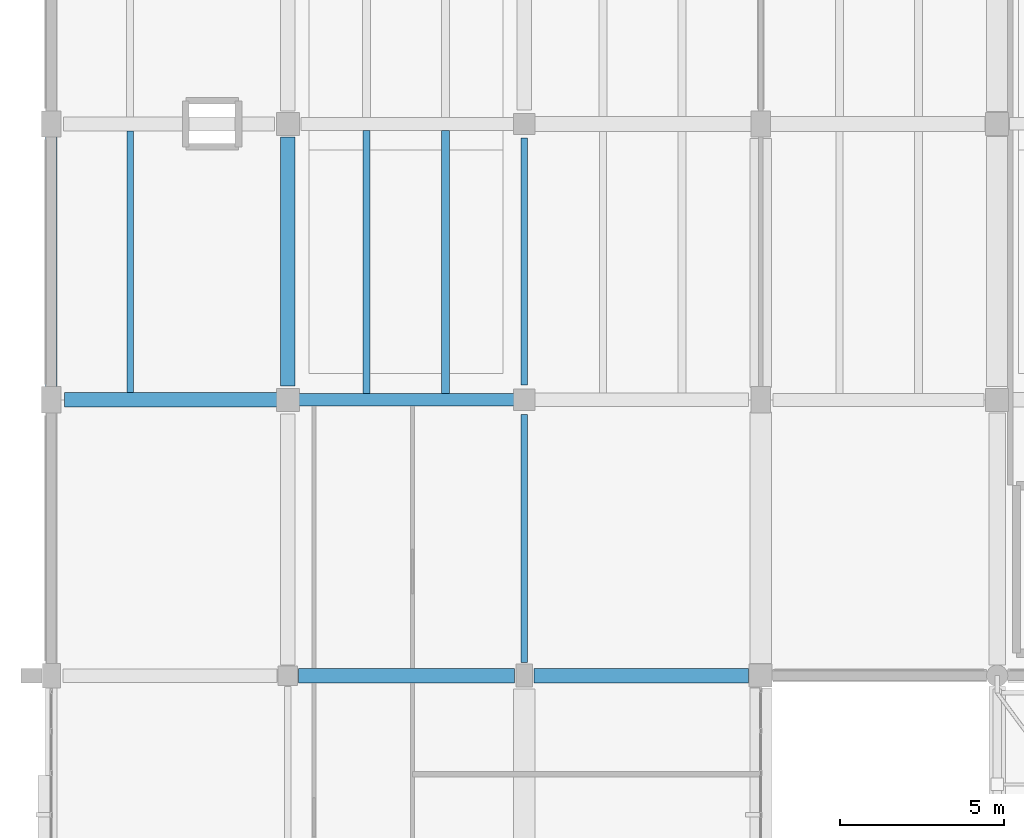
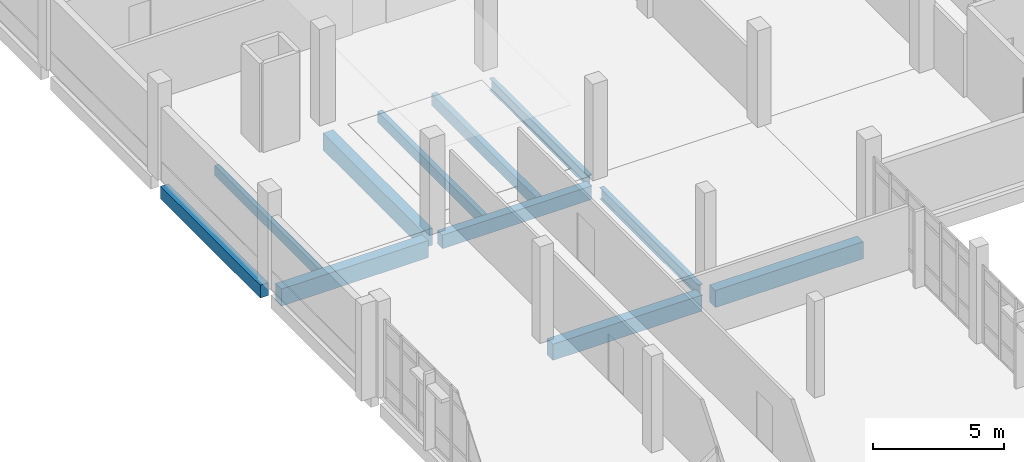
# One storey, part 34 of 87: 11 beams.
"""IFC4 building model written with IfcOpenShell, lengths in metres."""

from ifc_helpers import new_model, si_unit, direction, frame, origin, origin_2d, place, context, subcontext, project, spatial, rectangle, i_section, extrude, material, material_profile, profile_set, type_object, element, save


model = new_model("IFC4")

# Units and contexts
model_context = context("Model", 3, precision=1e-05, world=origin(), true_north=direction((0.0, 1.0)))
body_context = subcontext(model_context, "Body", "Model", "MODEL_VIEW")
ifc_project = project(units=[si_unit("LENGTHUNIT", "METRE"), si_unit("AREAUNIT", "SQUARE_METRE"), si_unit("VOLUMEUNIT", "CUBIC_METRE"), si_unit("PLANEANGLEUNIT", "RADIAN"), si_unit("MASSUNIT", "GRAM", prefix="KILO")], contexts=[model_context])

# Site, building, storey
site_placement = place(None, origin())
site = spatial("IfcSite", under=ifc_project, at=site_placement, CompositionType="ELEMENT")
building_placement = place(site_placement, origin())
building = spatial("IfcBuilding", under=site, at=building_placement, Name="Kalluvel Institute of Natural Sciences", CompositionType="ELEMENT")
storey_placement = place(building_placement, frame((0.0, 0.0, 18.89990234375)))
storey = spatial("IfcBuildingStorey", under=building, at=storey_placement, Name="L04", CompositionType="ELEMENT", Elevation=18.89990234375)

# Beams
ifc_material_1 = material(Name="Steel E350 Grade 350", Category="steel")
ifc_material_profile_1 = material_profile(ifc_material_1, i_section(OverallWidth=0.18994140625, OverallDepth=0.550048828125, WebThickness=0.01123046875, FlangeThickness=0.019287109375, FilletRadius=0.01806640625, at=origin_2d()), Name="ISMB 550")
ifc_profile_set_1 = profile_set([ifc_material_profile_1], Name="Steel E350 Grade 350")
beam_type_1 = type_object("IfcBeamType", Name="BM-ISMB550", PredefinedType="BEAM", material=ifc_profile_set_1)
beam_1_placement = place(storey_placement, frame((28.39990234375, 94.800048828125, -0.574951171875), z_axis=(0.0, 1.0, 0.0), x_axis=(-1.0, 0.0, 0.0)))
element("IfcBeam", 1, at=beam_1_placement, inside=storey, type_object=beam_type_1, Name="L04 girder GIR-L04-NS-X284-Y944", PredefinedType="BEAM", context=body_context, shape_type="SweptSolid", body=[
    extrude(i_section(OverallWidth=0.18994140625, OverallDepth=0.550048828125, WebThickness=0.01123046875, FlangeThickness=0.019287109375, FilletRadius=0.01806640625, at=origin_2d()), origin(), (0.0, 0.0, 1.0), 7.550048828125),
])
beam_2_placement = place(storey_placement, frame((28.39990234375, 103.25, -0.594970703125), z_axis=(0.0, 1.0, 0.0), x_axis=(-1.0, 0.0, 0.0)))
element("IfcBeam", 2, at=beam_2_placement, inside=storey, type_object=beam_type_1, Name="L04 girder GIR-L04-NS-X284-Y1028", PredefinedType="BEAM", context=body_context, shape_type="SweptSolid", body=[
    extrude(i_section(OverallWidth=0.18994140625, OverallDepth=0.550048828125, WebThickness=0.01123046875, FlangeThickness=0.019287109375, FilletRadius=0.01806640625, at=origin_2d()), origin(), (0.0, 0.0, 1.0), 7.52490234375),
])
ifc_material_2 = material(Name="Concrete M40", Category="concrete")
ifc_material_profile_2 = material_profile(ifc_material_2, rectangle(XDim=0.3798828125, YDim=0.639892578125, at=origin_2d()), Name="RCB 380x640")
ifc_profile_set_2 = profile_set([ifc_material_profile_2], Name="Concrete M40")
beam_type_2 = type_object("IfcBeamType", Name="BM-RC380x640", PredefinedType="BEAM", material=ifc_profile_set_2)
beam_3_placement = place(storey_placement, frame((21.52490234375, 102.800048828125, -0.639892578125), z_axis=(1.0, 0.0, 0.0), x_axis=(0.0, 1.0, 0.0)))
element("IfcBeam", 3, at=beam_3_placement, inside=storey, type_object=beam_type_2, Name="L04 girder GIR-L04-EW-X212-Y1028", PredefinedType="BEAM", context=body_context, shape_type="SweptSolid", body=[
    extrude(rectangle(XDim=0.3798828125, YDim=0.639892578125, at=origin_2d()), origin(), (0.0, 0.0, 1.0), 6.5751953125),
])
ifc_material_profile_3 = material_profile(ifc_material_2, rectangle(XDim=0.449951171875, YDim=0.75, at=origin_2d()), Name="RCB 450x750")
ifc_profile_set_3 = profile_set([ifc_material_profile_3], Name="Concrete M40")
beam_type_3 = type_object("IfcBeamType", Name="BM-RC450x750", PredefinedType="BEAM", material=ifc_profile_set_3)
beam_4_placement = place(storey_placement, frame((21.52490234375, 94.39990234375, -0.6748046875), z_axis=(1.0, 0.0, 0.0), x_axis=(0.0, 1.0, 0.0)))
element("IfcBeam", 4, at=beam_4_placement, inside=storey, type_object=beam_type_3, Name="L04 girder GIR-L04-EW-X212-Y944", PredefinedType="BEAM", context=body_context, shape_type="SweptSolid", body=[
    extrude(rectangle(XDim=0.449951171875, YDim=0.75, at=origin_2d()), origin(), (0.0, 0.0, 1.0), 6.5751953125),
])
ifc_material_profile_4 = material_profile(ifc_material_2, rectangle(XDim=0.449951171875, YDim=0.800048828125, at=origin_2d()), Name="RCB 450x800")
ifc_profile_set_4 = profile_set([ifc_material_profile_4], Name="Concrete M40")
beam_type_4 = type_object("IfcBeamType", Name="BM-RC450x800", PredefinedType="BEAM", material=ifc_profile_set_4)
beam_5_placement = place(storey_placement, frame((28.699951171875, 94.39990234375, -0.699951171875), z_axis=(1.0, 0.0, 0.0), x_axis=(0.0, 1.0, 0.0)))
element("IfcBeam", 5, at=beam_5_placement, inside=storey, type_object=beam_type_4, Name="L04 girder GIR-L04-EW-X284-Y944", PredefinedType="BEAM", context=body_context, shape_type="SweptSolid", body=[
    extrude(rectangle(XDim=0.449951171875, YDim=0.800048828125, at=origin_2d()), origin(), (0.0, 0.0, 1.0), 6.525146484375),
])
beam_6_placement = place(storey_placement, frame((14.39990234375, 102.800048828125, -0.719970703125), z_axis=(1.0, 0.0, 0.0), x_axis=(0.0, 1.0, 0.0)))
element("IfcBeam", 6, at=beam_6_placement, inside=storey, type_object=beam_type_4, Name="L04 girder GIR-L04-EW-X140-Y1028", PredefinedType="BEAM", context=body_context, shape_type="SweptSolid", body=[
    extrude(rectangle(XDim=0.449951171875, YDim=0.800048828125, at=origin_2d()), origin(), (0.0, 0.0, 1.0), 6.47509765625),
])
beam_7_placement = place(storey_placement, frame((21.199951171875, 103.22509765625, -0.719970703125), z_axis=(0.0, 1.0, 0.0), x_axis=(-1.0, 0.0, 0.0)))
element("IfcBeam", 7, at=beam_7_placement, inside=storey, type_object=beam_type_4, Name="L04 girder GIR-L04-NS-X212-Y1028", PredefinedType="BEAM", context=body_context, shape_type="SweptSolid", body=[
    extrude(rectangle(XDim=0.449951171875, YDim=0.800048828125, at=origin_2d()), origin(), (0.0, 0.0, 1.0), 7.574951171875),
])
ifc_material_profile_5 = material_profile(ifc_material_2, rectangle(XDim=0.35009765625, YDim=0.60009765625, at=origin_2d()), Name="RCB 350x600")
ifc_profile_set_5 = profile_set([ifc_material_profile_5], Name="Concrete M40")
beam_type_5 = type_object("IfcBeamType", Name="SP-RC350x600", PredefinedType="SPANDREL", material=ifc_profile_set_5)
beam_8_placement = place(storey_placement, frame((14.0, 103.199951171875, -0.619873046875), z_axis=(0.0, 1.0, 0.0), x_axis=(-1.0, 0.0, 0.0)))
element("IfcBeam", 8, at=beam_8_placement, inside=storey, type_object=beam_type_5, Name="L04 girder GIR-L04-NS-X140-Y1028", PredefinedType="SPANDREL", context=body_context, shape_type="SweptSolid", body=[
    extrude(rectangle(XDim=0.35009765625, YDim=0.60009765625, at=origin_2d()), origin(), (0.0, 0.0, 1.0), 7.625),
])
ifc_material_profile_6 = material_profile(ifc_material_2, rectangle(XDim=0.199951171875, YDim=0.4599609375, at=origin_2d()), Name="WAF 200x460")
ifc_profile_set_6 = profile_set([ifc_material_profile_6], Name="Concrete M40")
beam_type_6 = type_object("IfcBeamType", Name="WJ-200x460", PredefinedType="JOIST", material=ifc_profile_set_6)
beam_9_placement = place(storey_placement, frame((16.39990234375, 103.02490234375, -0.5498046875), z_axis=(0.0, 1.0, 0.0), x_axis=(-1.0, 0.0, 0.0)))
element("IfcBeam", 9, at=beam_9_placement, inside=storey, type_object=beam_type_6, Name="L04 waffle joist RIB-L04-0293", PredefinedType="JOIST", context=body_context, shape_type="SweptSolid", body=[
    extrude(rectangle(XDim=0.199951171875, YDim=0.4599609375, at=origin_2d()), origin(), (0.0, 0.0, 1.0), 7.965087890625),
])
ifc_material_profile_7 = material_profile(ifc_material_2, rectangle(XDim=0.219970703125, YDim=0.5, at=origin_2d()), Name="WAF 220x500")
ifc_profile_set_7 = profile_set([ifc_material_profile_7], Name="Concrete M40")
beam_type_7 = type_object("IfcBeamType", Name="WJ-220x500", PredefinedType="JOIST", material=ifc_profile_set_7)
beam_10_placement = place(storey_placement, frame((23.60009765625, 102.989990234375, -0.56982421875), z_axis=(0.0, 1.0, 0.0), x_axis=(-1.0, 0.0, 0.0)))
element("IfcBeam", 10, at=beam_10_placement, inside=storey, type_object=beam_type_7, Name="L04 waffle joist RIB-L04-0297", PredefinedType="JOIST", context=body_context, shape_type="SweptSolid", body=[
    extrude(rectangle(XDim=0.219970703125, YDim=0.5, at=origin_2d()), origin(), (0.0, 0.0, 1.0), 8.010009765625),
])
ifc_material_profile_8 = material_profile(ifc_material_2, rectangle(XDim=0.25, YDim=0.550048828125, at=origin_2d()), Name="WAF 250x550")
ifc_profile_set_8 = profile_set([ifc_material_profile_8], Name="Concrete M40")
beam_type_8 = type_object("IfcBeamType", Name="WJ-250x550", PredefinedType="JOIST", material=ifc_profile_set_8)
beam_11_placement = place(storey_placement, frame((26.0, 102.989990234375, -0.594970703125), z_axis=(0.0, 1.0, 0.0), x_axis=(-1.0, 0.0, 0.0)))
element("IfcBeam", 11, at=beam_11_placement, inside=storey, type_object=beam_type_8, Name="L04 waffle joist RIB-L04-0298", PredefinedType="JOIST", context=body_context, shape_type="SweptSolid", body=[
    extrude(rectangle(XDim=0.25, YDim=0.550048828125, at=origin_2d()), origin(), (0.0, 0.0, 1.0), 8.010009765625),
])

save(model, "model.ifc")
